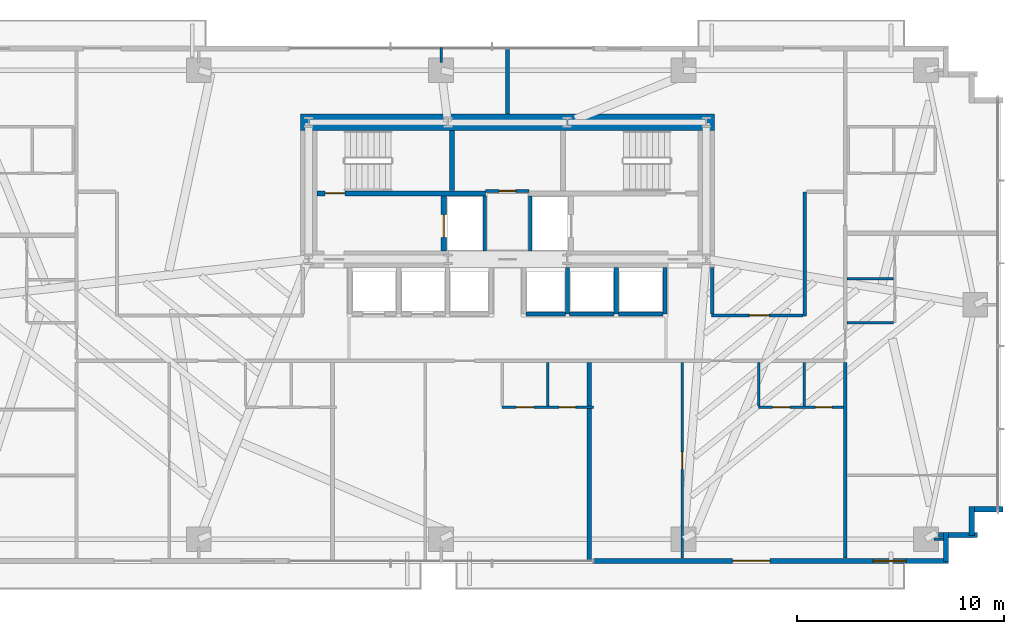
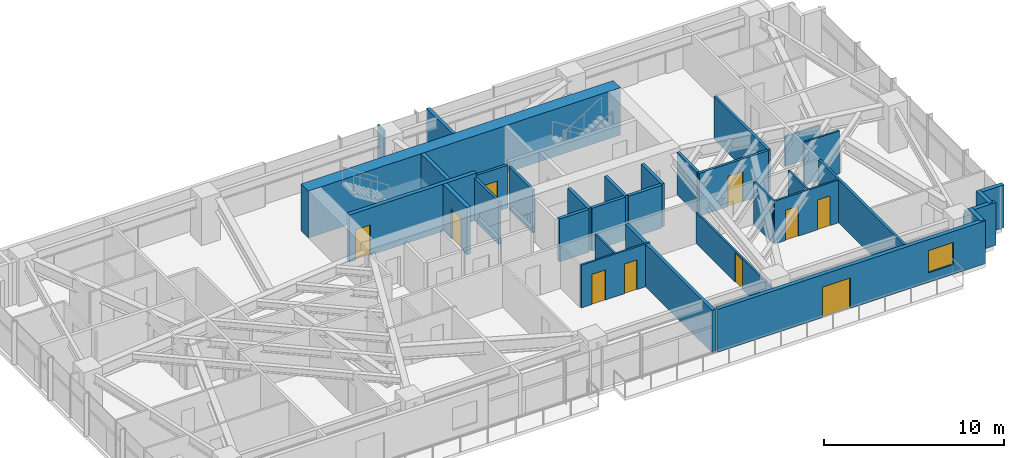
# One storey, part 21 of 25: 35 walls, 10 doors, 1 window, 11 openings.
"""IFC4 building model written with IfcOpenShell, lengths in metres."""

from ifc_helpers import new_model, si_unit, direction, frame, frame_2d, origin, place, context, subcontext, project, spatial, rectangle, extrude, source, transform, mapped, material, layer, layer_set, type_object, type_shapes, element, fill, save


model = new_model("IFC4")

# Units and contexts
model_context = context("Model", 3, precision=1e-05, world=origin(), true_north=direction((0.0, 1.0)))
body_context = subcontext(model_context, "Body", "Model", "MODEL_VIEW")
ifc_project = project(units=[si_unit("LENGTHUNIT", "METRE"), si_unit("AREAUNIT", "SQUARE_METRE"), si_unit("VOLUMEUNIT", "CUBIC_METRE"), si_unit("PLANEANGLEUNIT", "RADIAN"), si_unit("MASSUNIT", "GRAM", prefix="KILO")], contexts=[model_context])

# Site, building, storey
site_placement = place(None, origin())
site = spatial("IfcSite", under=ifc_project, at=site_placement, CompositionType="ELEMENT")
building_placement = place(site_placement, origin())
building = spatial("IfcBuilding", under=site, at=building_placement, Name="Astriad Promenade Condominiums", CompositionType="ELEMENT")
storey_placement = place(building_placement, frame((0.0, 0.0, 64.60009765625)))
storey = spatial("IfcBuildingStorey", under=building, at=storey_placement, Name="L18", CompositionType="ELEMENT", Elevation=64.60009765625)

# Wall
ifc_material_1 = material(Name="Concrete C80/95", Category="concrete")
ifc_layer_1 = layer(ifc_material_1, 0.800048828125)
ifc_layer_set_1 = layer_set([ifc_layer_1], Name="Concrete C80/95")
wall_type_1 = type_object("IfcWallType", Name="CW-SHEAR-800", PredefinedType="SHEAR", material=ifc_layer_set_1)
wall_1_placement = place(storey_placement, frame((26.0, 24.0, 0.0), z_axis=(0.0, 0.0, 1.0), x_axis=(1.0, 0.0, 0.0)))
element("IfcWall", 1, at=wall_1_placement, inside=storey, type_object=wall_type_1, Name="CW-CORE-N-L18", PredefinedType="SHEAR", context=body_context, shape_type="SweptSolid", body=[
    extrude(rectangle(XDim=20.0, YDim=0.800048828125, at=frame_2d((10.0, 0.0))), origin(), (0.0, 0.0, 1.0), 3.199951171875),
])

# Wall, opening, door
ifc_material_2 = material(Name="Concrete C50/60", Category="concrete")
ifc_layer_2 = layer(ifc_material_2, 0.25)
ifc_layer_set_2 = layer_set([ifc_layer_2], Name="Concrete C50/60")
wall_type_2 = type_object("IfcWallType", Name="WALL-CORE-INT-250", PredefinedType="SOLIDWALL", material=ifc_layer_set_2)
wall_2_placement = place(storey_placement, frame((26.802001953125, 20.574951171875, 0.0), z_axis=(0.0, 0.0, 1.0), x_axis=(1.0, 0.0, 0.0)))
wall_2 = element("IfcWall", 2, at=wall_2_placement, inside=storey, type_object=wall_type_2, Name="CW-INT-H1-L18", PredefinedType="SOLIDWALL", context=body_context, shape_type="SweptSolid", body=[
    extrude(rectangle(XDim=8.14794921875, YDim=0.25, at=frame_2d((4.073974609375, 0.0))), origin(), (0.0, 0.0, 1.0), 3.199951171875),
])
opening_1_placement = place(wall_2_placement, frame((0.39794921875, 0.0, 0.0)))
opening_1 = element("IfcOpeningElement", 3, at=opening_1_placement, cuts=wall_2, Name="Opening FD90-ST-095", PredefinedType="OPENING", context=body_context, shape_type="SweptSolid", body=[
    extrude(rectangle(XDim=0.949951171875, YDim=2.06005859375, at=frame_2d((0.47509765625, 1.030029296875))), frame((0.0, 0.135009765625, 0.0), z_axis=(0.0, -1.0, 0.0), x_axis=(1.0, 0.0, 0.0)), (0.0, 0.0, 1.0), 0.27001953125),
])
ifc_material_3 = material(Name="Fire-Rated Hollow Metal Stair Door")
door_type_1 = type_object("IfcDoorType", Name="FD90-ST-095", OperationType="NOTDEFINED", PredefinedType="DOOR", material=ifc_material_3)
shared_shape_1 = source(origin(), body_context, "Body", "SweptSolid", [
    extrude(rectangle(XDim=0.949951171875, YDim=2.06005859375, at=frame_2d((0.47509765625, 1.030029296875))), frame((0.0, 0.02490234375, 0.0), z_axis=(0.0, -1.0, 0.0), x_axis=(1.0, 0.0, 0.0)), (0.0, 0.0, 1.0), 0.050048828125),
])
type_shapes(door_type_1, [shared_shape_1])
door_1_placement = place(opening_1_placement, origin())
door_1 = element("IfcDoor", 4, at=door_1_placement, inside=storey, type_object=door_type_1, Name="D-ST1-L18", OperationType="SINGLE_SWING_RIGHT", OverallHeight=2.06005859375, OverallWidth=0.949951171875, PredefinedType="DOOR", context=body_context, shape_type="MappedRepresentation", body=[
    mapped(shared_shape_1, transform((0.0, 0.0, 0.0), scale=1.0)),
])
fill(opening_1, door_1)

# Wall
wall_3_placement = place(storey_placement, frame((33.324951171875, 20.701904296875, 0.0), z_axis=(0.0, 0.0, 1.0), x_axis=(0.0, 1.0, 0.0)))
element("IfcWall", 5, at=wall_3_placement, inside=storey, type_object=wall_type_2, Name="CW-ST1-E-L18", PredefinedType="SOLIDWALL", context=body_context, shape_type="SweptSolid", body=[
    extrude(rectangle(XDim=2.89599609375, YDim=0.25, at=frame_2d((1.447998046875, 0.0))), origin(), (0.0, 0.0, 1.0), 3.199951171875),
])

# Wall, opening, door
wall_4_placement = place(storey_placement, frame((32.925048828125, 17.802001953125, 0.0), z_axis=(0.0, 0.0, 1.0), x_axis=(0.0, 1.0, 0.0)))
wall_4 = element("IfcWall", 6, at=wall_4_placement, inside=storey, type_object=wall_type_2, Name="CW-FFL1-W-L18", PredefinedType="SOLIDWALL", context=body_context, shape_type="SweptSolid", body=[
    extrude(rectangle(XDim=2.64599609375, YDim=0.25, at=frame_2d((1.322998046875, 0.0))), origin(), (0.0, 0.0, 1.0), 3.199951171875),
])
opening_2_placement = place(wall_4_placement, frame((0.64794921875, 0.0, 0.0)))
opening_2 = element("IfcOpeningElement", 7, at=opening_2_placement, cuts=wall_4, Name="Opening LD-FFL-1122", PredefinedType="OPENING", context=body_context, shape_type="SweptSolid", body=[
    extrude(rectangle(XDim=1.10009765625, YDim=2.080078125, at=frame_2d((0.550048828125, 1.0400390625))), frame((0.0, 0.135009765625, 0.0), z_axis=(0.0, -1.0, 0.0), x_axis=(1.0, 0.0, 0.0)), (0.0, 0.0, 1.0), 0.27001953125),
])
ifc_material_4 = material(Name="Brushed Stainless Steel Fire Elevator Landing Door", Category="steel")
door_type_2 = type_object("IfcDoorType", Name="LD-FFL-1122", OperationType="NOTDEFINED", PredefinedType="DOOR", material=ifc_material_4)
shared_shape_2 = source(origin(), body_context, "Body", "SweptSolid", [
    extrude(rectangle(XDim=1.10009765625, YDim=2.080078125, at=frame_2d((0.550048828125, 1.0400390625))), frame((0.0, 0.02490234375, 0.0), z_axis=(0.0, -1.0, 0.0), x_axis=(1.0, 0.0, 0.0)), (0.0, 0.0, 1.0), 0.050048828125),
])
type_shapes(door_type_2, [shared_shape_2])
door_2_placement = place(opening_2_placement, origin())
door_2 = element("IfcDoor", 8, at=door_2_placement, inside=storey, type_object=door_type_2, Name="Elevator Landing Door FFL-1 (L18)", OperationType="SLIDING_TO_LEFT", OverallHeight=2.080078125, OverallWidth=1.10009765625, PredefinedType="DOOR", context=body_context, shape_type="MappedRepresentation", body=[
    mapped(shared_shape_2, transform((0.0, 0.0, 0.0), scale=1.0)),
])
fill(opening_2, door_2)

# Walls
ifc_material_5 = material(Name="Fire-Rated Gypsum Partition")
ifc_layer_3 = layer(ifc_material_5, 0.159912109375)
ifc_layer_set_3 = layer_set([ifc_layer_3], Name="Fire-Rated Gypsum Partition")
wall_type_3 = type_object("IfcWallType", Name="WALL-CORR-160", PredefinedType="PARTITIONING", material=ifc_layer_set_3)
for number, where, z_axis, x_axis, name in (
    (9, (34.89990234375, 17.802001953125, 0.0), (0.0, 0.0, 1.0), (0.0, 1.0, 0.0), "CW-FFL1-E-L18"),
    (10, (37.10009765625, 17.802001953125, 0.0), (0.0, 0.0, 1.0), (0.0, 1.0, 0.0), "CW-FFL2-W-L18"),
):
    element("IfcWall", number, at=place(storey_placement, frame(where, z_axis=z_axis, x_axis=x_axis)), inside=storey, type_object=wall_type_3, Name=name, PredefinedType="PARTITIONING", context=body_context, shape_type="SweptSolid", body=[
        extrude(rectangle(XDim=2.64599609375, YDim=0.159912109375, at=frame_2d((1.322998046875, 0.0))), origin(), (0.0, 0.0, 1.0), 2.89990234375),
    ])

# Wall, opening, door
wall_5_placement = place(storey_placement, frame((34.949951171875, 20.68994140625, 0.0), z_axis=(0.0, 0.0, 1.0), x_axis=(1.0, 0.0, 0.0)))
wall_5 = element("IfcWall", 11, at=wall_5_placement, inside=storey, type_object=wall_type_3, Name="CW-AUX-S-L18", PredefinedType="PARTITIONING", context=body_context, shape_type="SweptSolid", body=[
    extrude(rectangle(XDim=2.10009765625, YDim=0.159912109375, at=frame_2d((1.050048828125, 0.0))), origin(), (0.0, 0.0, 1.0), 2.89990234375),
])
opening_3_placement = place(wall_5_placement, frame((0.64990234375, 0.0, 0.0)))
opening_3 = element("IfcOpeningElement", 12, at=opening_3_placement, cuts=wall_5, Name="Opening FD60-SV-080", PredefinedType="OPENING", context=body_context, shape_type="SweptSolid", body=[
    extrude(rectangle(XDim=0.800048828125, YDim=2.050048828125, at=frame_2d((0.39990234375, 1.02490234375))), frame((0.0, 0.08984375, 0.0), z_axis=(0.0, -1.0, 0.0), x_axis=(1.0, 0.0, 0.0)), (0.0, 0.0, 1.0), 0.179931640625),
])
ifc_material_6 = material(Name="Fire-Rated Riser Closet Door")
door_type_3 = type_object("IfcDoorType", Name="FD60-SV-080", OperationType="NOTDEFINED", PredefinedType="DOOR", material=ifc_material_6)
shared_shape_3 = source(origin(), body_context, "Body", "SweptSolid", [
    extrude(rectangle(XDim=0.800048828125, YDim=2.050048828125, at=frame_2d((0.39990234375, 1.02490234375))), frame((0.0, 0.02490234375, 0.0), z_axis=(0.0, -1.0, 0.0), x_axis=(1.0, 0.0, 0.0)), (0.0, 0.0, 1.0), 0.050048828125),
])
type_shapes(door_type_3, [shared_shape_3])
door_3_placement = place(opening_3_placement, origin())
door_3 = element("IfcDoor", 13, at=door_3_placement, inside=storey, type_object=door_type_3, Name="D-AUX1-L18", OperationType="SINGLE_SWING_RIGHT", OverallHeight=2.050048828125, OverallWidth=0.800048828125, PredefinedType="DOOR", context=body_context, shape_type="MappedRepresentation", body=[
    mapped(shared_shape_3, transform((0.0, 0.0, 0.0), scale=1.0)),
])
fill(opening_3, door_3)

# Walls
wall_6_placement = place(storey_placement, frame((52.300048828125, 2.9619140625, 0.0), z_axis=(0.0, 0.0, 1.0), x_axis=(0.0, 1.0, 0.0)))
element("IfcWall", 14, at=wall_6_placement, inside=storey, type_object=wall_type_3, Name="PT-COR-E-L18", PredefinedType="PARTITIONING", context=body_context, shape_type="SweptSolid", body=[
    extrude(rectangle(XDim=9.446044921875, YDim=0.159912109375, at=frame_2d((4.72314453125, 0.0))), origin(), (0.0, 0.0, 1.0), 2.89990234375),
])
wall_7_placement = place(storey_placement, frame((50.35009765625, 14.659912109375, 0.0), z_axis=(0.0, 0.0, 1.0), x_axis=(0.0, 1.0, 0.0)))
element("IfcWall", 15, at=wall_7_placement, inside=storey, type_object=wall_type_3, Name="PT-EALC-W-L18", PredefinedType="PARTITIONING", context=body_context, shape_type="SweptSolid", body=[
    extrude(rectangle(XDim=5.989990234375, YDim=0.159912109375, at=frame_2d((2.9951171875, 0.0))), origin(), (0.0, 0.0, 1.0), 2.89990234375),
])

# Wall, opening, door
wall_8_placement = place(storey_placement, frame((45.840087890625, 14.679931640625, 0.0), z_axis=(0.0, 0.0, 1.0), x_axis=(1.0, 0.0, 0.0)))
wall_8 = element("IfcWall", 16, at=wall_8_placement, inside=storey, type_object=wall_type_3, Name="PT-FLK-NE-L18", PredefinedType="PARTITIONING", context=body_context, shape_type="SweptSolid", body=[
    extrude(rectangle(XDim=4.427978515625, YDim=0.159912109375, at=frame_2d((2.2138671875, 0.0))), origin(), (0.0, 0.0, 1.0), 2.89990234375),
])
opening_4_placement = place(wall_8_placement, frame((1.840087890625, 0.0, 0.0)))
opening_4 = element("IfcOpeningElement", 17, at=opening_4_placement, cuts=wall_8, Name="Opening FD60-APT-095", PredefinedType="OPENING", context=body_context, shape_type="SweptSolid", body=[
    extrude(rectangle(XDim=0.949951171875, YDim=2.06005859375, at=frame_2d((0.47509765625, 1.030029296875))), frame((0.0, 0.08984375, 0.0), z_axis=(0.0, -1.0, 0.0), x_axis=(1.0, 0.0, 0.0)), (0.0, 0.0, 1.0), 0.179931640625),
])
ifc_material_7 = material(Name="Solid-Core Acoustic Timber Residence Entry Door", Category="wood")
door_type_4 = type_object("IfcDoorType", Name="FD60-APT-095", OperationType="NOTDEFINED", PredefinedType="DOOR", material=ifc_material_7)
shared_shape_4 = source(origin(), body_context, "Body", "SweptSolid", [
    extrude(rectangle(XDim=0.949951171875, YDim=2.06005859375, at=frame_2d((0.47509765625, 1.030029296875))), frame((0.0, 0.02490234375, 0.0), z_axis=(0.0, -1.0, 0.0), x_axis=(1.0, 0.0, 0.0)), (0.0, 0.0, 1.0), 0.050048828125),
])
type_shapes(door_type_4, [shared_shape_4])
door_4_placement = place(opening_4_placement, origin())
door_4 = element("IfcDoor", 18, at=door_4_placement, inside=storey, type_object=door_type_4, Name="D-NEA-L18", OperationType="SINGLE_SWING_RIGHT", OverallHeight=2.06005859375, OverallWidth=0.949951171875, PredefinedType="DOOR", context=body_context, shape_type="MappedRepresentation", body=[
    mapped(shared_shape_4, transform((0.0, 0.0, 0.0), scale=1.0)),
])
fill(opening_4, door_4)

# Walls
wall_9_placement = place(storey_placement, frame((45.8798828125, 14.761962890625, 0.0), z_axis=(0.0, 0.0, 1.0), x_axis=(0.0, 1.0, 0.0)))
element("IfcWall", 19, at=wall_9_placement, inside=storey, type_object=wall_type_3, Name="PT-ESPUR-E-L18", PredefinedType="PARTITIONING", context=body_context, shape_type="SweptSolid", body=[
    extrude(rectangle(XDim=2.236083984375, YDim=0.159912109375, at=frame_2d((1.1181640625, 0.0))), origin(), (0.0, 0.0, 1.0), 2.89990234375),
])
ifc_material_8 = material(Name="Acoustic Double-Stud Gypsum Partition")
ifc_layer_4 = layer(ifc_material_8, 0.199951171875)
ifc_layer_set_4 = layer_set([ifc_layer_4], Name="Acoustic Double-Stud Gypsum Partition")
wall_type_4 = type_object("IfcWallType", Name="WALL-DEMISING-200", PredefinedType="PARTITIONING", material=ifc_layer_set_4)
wall_10_placement = place(storey_placement, frame((36.0, 24.402099609375, 0.0), z_axis=(0.0, 0.0, 1.0), x_axis=(0.0, 1.0, 0.0)))
element("IfcWall", 20, at=wall_10_placement, inside=storey, type_object=wall_type_4, Name="PT-NC-MID-L18", PredefinedType="PARTITIONING", context=body_context, shape_type="SweptSolid", body=[
    extrude(rectangle(XDim=3.218017578125, YDim=0.199951171875, at=frame_2d((1.60888671875, 0.0))), origin(), (0.0, 0.0, 1.0), 2.89990234375),
])
wall_11_placement = place(storey_placement, frame((39.946044921875, 2.780029296875, 0.0), z_axis=(0.0, 0.0, 1.0), x_axis=(0.0, 1.0, 0.0)))
element("IfcWall", 21, at=wall_11_placement, inside=storey, type_object=wall_type_4, Name="PT-DEM-S2-L18", PredefinedType="PARTITIONING", context=body_context, shape_type="SweptSolid", body=[
    extrude(rectangle(XDim=7.39794921875, YDim=0.199951171875, at=frame_2d((3.698974609375, 0.0))), origin(), (0.0, 0.0, 1.0), 2.89990234375),
])
wall_12_placement = place(storey_placement, frame((39.946044921875, 10.302001953125, 0.0), z_axis=(0.0, 0.0, 1.0), x_axis=(0.0, 1.0, 0.0)))
element("IfcWall", 22, at=wall_12_placement, inside=storey, type_object=wall_type_4, Name="PT-DEM-S2-L18-S2", PredefinedType="PARTITIONING", context=body_context, shape_type="SweptSolid", body=[
    extrude(rectangle(XDim=2.10595703125, YDim=0.199951171875, at=frame_2d((1.052978515625, 0.0))), origin(), (0.0, 0.0, 1.0), 2.89990234375),
])
ifc_material_9 = material(Name="Precast concrete C50/60", Category="concrete")
ifc_layer_5 = layer(ifc_material_9, 0.260009765625)
ifc_layer_set_5 = layer_set([ifc_layer_5], Name="Precast concrete C50/60")
wall_type_5 = type_object("IfcWallType", Name="WALL-EXT-TWR-260", PredefinedType="STANDARD", material=ifc_layer_set_5)
for number, where, z_axis, x_axis, name in (
    (23, (59.929931640625, 5.330078125, 0.0), (0.0, 0.0, 1.0), (-1.0, 0.0, 0.0), "W-SER-L18-14"),
    (24, (58.419921875, 5.4599609375, 0.0), (0.0, 0.0, 1.0), (0.0, -1.0, 0.0), "W-SER-L18-15"),
):
    element("IfcWall", number, at=place(storey_placement, frame(where, z_axis=z_axis, x_axis=x_axis)), inside=storey, type_object=wall_type_5, Name=name, PredefinedType="STANDARD", context=body_context, shape_type="SweptSolid", body=[
        extrude(rectangle(XDim=1.39501953125, YDim=0.260009765625, at=frame_2d((0.697509765625, 0.0))), origin(), (0.0, 0.0, 1.0), 2.89990234375),
    ])
wall_13_placement = place(storey_placement, frame((58.679931640625, 4.080078125, 0.0), z_axis=(0.0, 0.0, 1.0), x_axis=(-1.0, 0.0, 0.0)))
element("IfcWall", 25, at=wall_13_placement, inside=storey, type_object=wall_type_5, Name="W-SER-L18-16", PredefinedType="STANDARD", context=body_context, shape_type="SweptSolid", body=[
    extrude(rectangle(XDim=1.8779296875, YDim=0.260009765625, at=frame_2d((0.93896484375, 0.0))), origin(), (0.0, 0.0, 1.0), 2.89990234375),
])
wall_14_placement = place(storey_placement, frame((57.169921875, 4.2099609375, 0.0), z_axis=(0.0, 0.0, 1.0), x_axis=(0.0, -1.0, 0.0)))
element("IfcWall", 26, at=wall_14_placement, inside=storey, type_object=wall_type_5, Name="W-SER-L18-17", PredefinedType="STANDARD", context=body_context, shape_type="SweptSolid", body=[
    extrude(rectangle(XDim=1.39501953125, YDim=0.260009765625, at=frame_2d((0.697509765625, 0.0))), origin(), (0.0, 0.0, 1.0), 2.89990234375),
])

# Wall, openings, door, window
wall_15_placement = place(storey_placement, frame((57.300048828125, 2.830078125, 0.0), z_axis=(0.0, 0.0, 1.0), x_axis=(-1.0, 0.0, 0.0)))
wall_15 = element("IfcWall", 27, at=wall_15_placement, inside=storey, type_object=wall_type_5, Name="W-EXT-L18-S1", PredefinedType="STANDARD", context=body_context, shape_type="SweptSolid", body=[
    extrude(rectangle(XDim=17.150146484375, YDim=0.260009765625, at=frame_2d((8.5751953125, 0.0))), origin(), (0.0, 0.0, 1.0), 2.89990234375),
])
opening_5_placement = place(wall_15_placement, frame((8.635986328125, 0.0, 0.0)))
opening_5 = element("IfcOpeningElement", 28, at=opening_5_placement, cuts=wall_15, Name="Opening BD-1822-SLD", PredefinedType="OPENING", context=body_context, shape_type="SweptSolid", body=[
    extrude(rectangle(XDim=1.800048828125, YDim=2.06005859375, at=frame_2d((0.89990234375, 1.030029296875))), frame((0.0, 0.139892578125, 0.0), z_axis=(0.0, -1.0, 0.0), x_axis=(1.0, 0.0, 0.0)), (0.0, 0.0, 1.0), 0.280029296875),
])
opening_6_placement = place(wall_15_placement, frame((2.050048828125, 0.0, 0.64990234375)))
opening_6 = element("IfcOpeningElement", 29, at=opening_6_placement, cuts=wall_15, Name="Opening WIN-TWR-1620", PredefinedType="OPENING", context=body_context, shape_type="SweptSolid", body=[
    extrude(rectangle(XDim=1.60009765625, YDim=1.5, at=frame_2d((0.800048828125, 0.75))), frame((0.0, 0.139892578125, 0.0), z_axis=(0.0, -1.0, 0.0), x_axis=(1.0, 0.0, 0.0)), (0.0, 0.0, 1.0), 0.280029296875),
])
ifc_material_10 = material(Name="Thermally Broken Aluminium Sliding Balcony Door", Category="aluminium")
door_type_5 = type_object("IfcDoorType", Name="BD-1822-SLD", OperationType="NOTDEFINED", PredefinedType="DOOR", material=ifc_material_10)
shared_shape_5 = source(origin(), body_context, "Body", "SweptSolid", [
    extrude(rectangle(XDim=1.800048828125, YDim=2.06005859375, at=frame_2d((0.89990234375, 1.030029296875))), frame((0.0, 0.02490234375, 0.0), z_axis=(0.0, -1.0, 0.0), x_axis=(1.0, 0.0, 0.0)), (0.0, 0.0, 1.0), 0.050048828125),
])
type_shapes(door_type_5, [shared_shape_5])
door_5_placement = place(opening_5_placement, origin())
door_5 = element("IfcDoor", 30, at=door_5_placement, inside=storey, type_object=door_type_5, Name="BD-L18-SE", OperationType="SLIDING_TO_RIGHT", OverallHeight=2.06005859375, OverallWidth=1.800048828125, PredefinedType="DOOR", context=body_context, shape_type="MappedRepresentation", body=[
    mapped(shared_shape_5, transform((0.0, 0.0, 0.0), scale=1.0)),
])
fill(opening_5, door_5)
ifc_material_11 = material(Name="Dark Tinted Triple-Glazed Aluminium Window", Category="aluminium")
window_type = type_object("IfcWindowType", Name="WIN-TWR-1620", PartitioningType="SINGLE_PANEL", PredefinedType="WINDOW", material=ifc_material_11)
shared_shape_6 = source(origin(), body_context, "Body", "SweptSolid", [
    extrude(rectangle(XDim=1.60009765625, YDim=1.5, at=frame_2d((0.800048828125, 0.75))), frame((0.0, 0.030029296875, 0.0), z_axis=(0.0, -1.0, 0.0), x_axis=(1.0, 0.0, 0.0)), (0.0, 0.0, 1.0), 0.06005859375),
])
type_shapes(window_type, [shared_shape_6])
window_placement = place(opening_6_placement, origin())
window = element("IfcWindow", 31, at=window_placement, inside=storey, type_object=window_type, Name="WIN-L18-SE", OverallHeight=1.5, OverallWidth=1.60009765625, PartitioningType="SINGLE_PANEL", PredefinedType="WINDOW", context=body_context, shape_type="MappedRepresentation", body=[
    mapped(shared_shape_6, transform((0.0, 0.0, 0.0), scale=1.0)),
])
fill(opening_6, window)

# Wall, openings, doors
ifc_material_12 = material(Name="Acoustic Metal-Stud Gypsum Partition")
ifc_layer_6 = layer(ifc_material_12, 0.1201171875)
ifc_layer_set_6 = layer_set([ifc_layer_6], Name="Acoustic Metal-Stud Gypsum Partition")
wall_type_6 = type_object("IfcWallType", Name="WALL-PART-120", PredefinedType="PARTITIONING", material=ifc_layer_set_6)
wall_16_placement = place(storey_placement, frame((35.74609375, 10.239990234375, 0.0), z_axis=(0.0, 0.0, 1.0), x_axis=(1.0, 0.0, 0.0)))
wall_16 = element("IfcWall", 32, at=wall_16_placement, inside=storey, type_object=wall_type_6, Name="PT-L18-S2-PS", PredefinedType="PARTITIONING", context=body_context, shape_type="SweptSolid", body=[
    extrude(rectangle(XDim=4.39990234375, YDim=0.1201171875, at=frame_2d((2.199951171875, 0.0))), origin(), (0.0, 0.0, 1.0), 2.89990234375),
])
opening_7_placement = place(wall_16_placement, frame((0.675048828125, 0.0, 0.0)))
opening_7 = element("IfcOpeningElement", 33, at=opening_7_placement, cuts=wall_16, Name="Opening D-INT-085", PredefinedType="OPENING", context=body_context, shape_type="SweptSolid", body=[
    extrude(rectangle(XDim=0.85009765625, YDim=2.050048828125, at=frame_2d((0.425048828125, 1.02490234375))), frame((0.0, 0.070068359375, 0.0), z_axis=(0.0, -1.0, 0.0), x_axis=(1.0, 0.0, 0.0)), (0.0, 0.0, 1.0), 0.14013671875),
])
opening_8_placement = place(wall_16_placement, frame((2.75, 0.0, 0.0)))
opening_8 = element("IfcOpeningElement", 34, at=opening_8_placement, cuts=wall_16, Name="Opening D-WET-080", PredefinedType="OPENING", context=body_context, shape_type="SweptSolid", body=[
    extrude(rectangle(XDim=0.800048828125, YDim=2.02001953125, at=frame_2d((0.39990234375, 1.010009765625))), frame((0.0, 0.070068359375, 0.0), z_axis=(0.0, -1.0, 0.0), x_axis=(1.0, 0.0, 0.0)), (0.0, 0.0, 1.0), 0.14013671875),
])
ifc_material_13 = material(Name="Moisture-Resistant Timber Bathroom Door", Category="wood")
door_type_6 = type_object("IfcDoorType", Name="D-WET-080", OperationType="NOTDEFINED", PredefinedType="DOOR", material=ifc_material_13)
shared_shape_7 = source(origin(), body_context, "Body", "SweptSolid", [
    extrude(rectangle(XDim=0.800048828125, YDim=2.02001953125, at=frame_2d((0.39990234375, 1.010009765625))), frame((0.0, 0.02490234375, 0.0), z_axis=(0.0, -1.0, 0.0), x_axis=(1.0, 0.0, 0.0)), (0.0, 0.0, 1.0), 0.050048828125),
])
type_shapes(door_type_6, [shared_shape_7])
door_6_placement = place(opening_8_placement, origin())
door_6 = element("IfcDoor", 35, at=door_6_placement, inside=storey, type_object=door_type_6, Name="D-BTH-L18-S2", OperationType="SINGLE_SWING_RIGHT", OverallHeight=2.02001953125, OverallWidth=0.800048828125, PredefinedType="DOOR", context=body_context, shape_type="MappedRepresentation", body=[
    mapped(shared_shape_7, transform((0.0, 0.0, 0.0), scale=1.0)),
])
fill(opening_8, door_6)
ifc_material_14 = material(Name="Painted Solid-Core Timber Room Door", Category="wood")
door_type_7 = type_object("IfcDoorType", Name="D-INT-085", OperationType="NOTDEFINED", PredefinedType="DOOR", material=ifc_material_14)
shared_shape_8 = source(origin(), body_context, "Body", "SweptSolid", [
    extrude(rectangle(XDim=0.85009765625, YDim=2.050048828125, at=frame_2d((0.425048828125, 1.02490234375))), frame((0.0, 0.02490234375, 0.0), z_axis=(0.0, -1.0, 0.0), x_axis=(1.0, 0.0, 0.0)), (0.0, 0.0, 1.0), 0.050048828125),
])
type_shapes(door_type_7, [shared_shape_8])
door_7_placement = place(opening_7_placement, origin())
door_7 = element("IfcDoor", 36, at=door_7_placement, inside=storey, type_object=door_type_7, Name="D-KIT-L18-S2", OperationType="SINGLE_SWING_LEFT", OverallHeight=2.050048828125, OverallWidth=0.85009765625, PredefinedType="DOOR", context=body_context, shape_type="MappedRepresentation", body=[
    mapped(shared_shape_8, transform((0.0, 0.0, 0.0), scale=1.0)),
])
fill(opening_7, door_7)

# Wall
wall_17_placement = place(storey_placement, frame((37.946044921875, 10.302001953125, 0.0), z_axis=(0.0, 0.0, 1.0), x_axis=(0.0, 1.0, 0.0)))
element("IfcWall", 37, at=wall_17_placement, inside=storey, type_object=wall_type_6, Name="PT-L18-S2-PB", PredefinedType="PARTITIONING", context=body_context, shape_type="SweptSolid", body=[
    extrude(rectangle(XDim=2.10595703125, YDim=0.1201171875, at=frame_2d((1.052978515625, 0.0))), origin(), (0.0, 0.0, 1.0), 2.89990234375),
])

# Wall, openings, doors
wall_18_placement = place(storey_placement, frame((48.1201171875, 10.239990234375, 0.0), z_axis=(0.0, 0.0, 1.0), x_axis=(1.0, 0.0, 0.0)))
wall_18 = element("IfcWall", 38, at=wall_18_placement, inside=storey, type_object=wall_type_6, Name="PT-L18-S3-PS", PredefinedType="PARTITIONING", context=body_context, shape_type="SweptSolid", body=[
    extrude(rectangle(XDim=4.097900390625, YDim=0.1201171875, at=frame_2d((2.048828125, 0.0))), origin(), (0.0, 0.0, 1.0), 2.89990234375),
])
opening_9_placement = place(wall_18_placement, frame((0.675048828125, 0.0, 0.0)))
opening_9 = element("IfcOpeningElement", 39, at=opening_9_placement, cuts=wall_18, Name="Opening D-INT-085", PredefinedType="OPENING", context=body_context, shape_type="SweptSolid", body=[
    extrude(rectangle(XDim=0.85009765625, YDim=2.050048828125, at=frame_2d((0.425048828125, 1.02490234375))), frame((0.0, 0.070068359375, 0.0), z_axis=(0.0, -1.0, 0.0), x_axis=(1.0, 0.0, 0.0)), (0.0, 0.0, 1.0), 0.14013671875),
])
opening_10_placement = place(wall_18_placement, frame((2.75, 0.0, 0.0)))
opening_10 = element("IfcOpeningElement", 40, at=opening_10_placement, cuts=wall_18, Name="Opening D-WET-080", PredefinedType="OPENING", context=body_context, shape_type="SweptSolid", body=[
    extrude(rectangle(XDim=0.800048828125, YDim=2.02001953125, at=frame_2d((0.39990234375, 1.010009765625))), frame((0.0, 0.070068359375, 0.0), z_axis=(0.0, -1.0, 0.0), x_axis=(1.0, 0.0, 0.0)), (0.0, 0.0, 1.0), 0.14013671875),
])
door_8_placement = place(opening_10_placement, origin())
door_8 = element("IfcDoor", 41, at=door_8_placement, inside=storey, type_object=door_type_6, Name="D-BTH-L18-S3", OperationType="SINGLE_SWING_RIGHT", OverallHeight=2.02001953125, OverallWidth=0.800048828125, PredefinedType="DOOR", context=body_context, shape_type="MappedRepresentation", body=[
    mapped(shared_shape_7, transform((0.0, 0.0, 0.0), scale=1.0)),
])
fill(opening_10, door_8)
door_9_placement = place(opening_9_placement, origin())
door_9 = element("IfcDoor", 42, at=door_9_placement, inside=storey, type_object=door_type_7, Name="D-KIT-L18-S3", OperationType="SINGLE_SWING_LEFT", OverallHeight=2.050048828125, OverallWidth=0.85009765625, PredefinedType="DOOR", context=body_context, shape_type="MappedRepresentation", body=[
    mapped(shared_shape_8, transform((0.0, 0.0, 0.0), scale=1.0)),
])
fill(opening_9, door_9)

# Walls
for number, where, z_axis, x_axis, name in (
    (43, (48.1201171875, 10.302001953125, 0.0), (0.0, 0.0, 1.0), (0.0, 1.0, 0.0), "PT-L18-S3-PK"),
    (44, (50.320068359375, 10.302001953125, 0.0), (0.0, 0.0, 1.0), (0.0, 1.0, 0.0), "PT-L18-S3-PB"),
):
    element("IfcWall", number, at=place(storey_placement, frame(where, z_axis=z_axis, x_axis=x_axis)), inside=storey, type_object=wall_type_6, Name=name, PredefinedType="PARTITIONING", context=body_context, shape_type="SweptSolid", body=[
        extrude(rectangle(XDim=2.10595703125, YDim=0.1201171875, at=frame_2d((1.052978515625, 0.0))), origin(), (0.0, 0.0, 1.0), 2.89990234375),
    ])

# Wall, opening, door
wall_19_placement = place(storey_placement, frame((44.428955078125, 2.9619140625, 0.0), z_axis=(0.0, 0.0, 1.0), x_axis=(0.0, 1.0, 0.0)))
wall_19 = element("IfcWall", 45, at=wall_19_placement, inside=storey, type_object=wall_type_6, Name="PT-L18-S3-CAP1", PredefinedType="PARTITIONING", context=body_context, shape_type="SweptSolid", body=[
    extrude(rectangle(XDim=9.446044921875, YDim=0.1201171875, at=frame_2d((4.72314453125, 0.0))), origin(), (0.0, 0.0, 1.0), 2.095947265625),
])
opening_11_placement = place(wall_19_placement, frame((4.2880859375, 0.0, 0.0)))
opening_11 = element("IfcOpeningElement", 46, at=opening_11_placement, cuts=wall_19, Name="Opening D-LOW-085", PredefinedType="OPENING", context=body_context, shape_type="SweptSolid", body=[
    extrude(rectangle(XDim=0.85009765625, YDim=2.010009765625, at=frame_2d((0.425048828125, 1.0048828125))), frame((0.0, 0.070068359375, 0.0), z_axis=(0.0, -1.0, 0.0), x_axis=(1.0, 0.0, 0.0)), (0.0, 0.0, 1.0), 0.14013671875),
])
ifc_material_15 = material(Name="Painted Timber Under-Girder Room Door", Category="wood")
door_type_8 = type_object("IfcDoorType", Name="D-LOW-085", OperationType="NOTDEFINED", PredefinedType="DOOR", material=ifc_material_15)
shared_shape_9 = source(origin(), body_context, "Body", "SweptSolid", [
    extrude(rectangle(XDim=0.85009765625, YDim=2.010009765625, at=frame_2d((0.425048828125, 1.0048828125))), frame((0.0, 0.02490234375, 0.0), z_axis=(0.0, -1.0, 0.0), x_axis=(1.0, 0.0, 0.0)), (0.0, 0.0, 1.0), 0.050048828125),
])
type_shapes(door_type_8, [shared_shape_9])
door_10_placement = place(opening_11_placement, origin())
door_10 = element("IfcDoor", 47, at=door_10_placement, inside=storey, type_object=door_type_8, Name="D-CAP1-L18-S3", OperationType="SINGLE_SWING_LEFT", OverallHeight=2.010009765625, OverallWidth=0.85009765625, PredefinedType="DOOR", context=body_context, shape_type="MappedRepresentation", body=[
    mapped(shared_shape_9, transform((0.0, 0.0, 0.0), scale=1.0)),
])
fill(opening_11, door_10)

# Walls
wall_20_placement = place(storey_placement, frame((52.382080078125, 16.445068359375, 0.0), z_axis=(0.0, 0.0, 1.0), x_axis=(1.0, 0.0, 0.0)))
element("IfcWall", 48, at=wall_20_placement, inside=storey, type_object=wall_type_6, Name="PT-L18-E1-PM", PredefinedType="PARTITIONING", context=body_context, shape_type="SweptSolid", body=[
    extrude(rectangle(XDim=2.255859375, YDim=0.1201171875, at=frame_2d((1.1279296875, 0.0))), origin(), (0.0, 0.0, 1.0), 2.0048828125),
])
wall_21_placement = place(storey_placement, frame((52.382080078125, 14.340087890625, 0.0), z_axis=(0.0, 0.0, 1.0), x_axis=(1.0, 0.0, 0.0)))
element("IfcWall", 49, at=wall_21_placement, inside=storey, type_object=wall_type_6, Name="PT-L18-E1-PS", PredefinedType="PARTITIONING", context=body_context, shape_type="SweptSolid", body=[
    extrude(rectangle(XDim=2.255859375, YDim=0.1201171875, at=frame_2d((1.1279296875, 0.0))), origin(), (0.0, 0.0, 1.0), 2.89990234375),
])
wall_22_placement = place(storey_placement, frame((56.580078125, 3.8798828125, 0.0), z_axis=(0.0, 0.0, 1.0), x_axis=(1.0, 0.0, 0.0)))
element("IfcWall", 50, at=wall_22_placement, inside=storey, type_object=wall_type_6, Name="PT-PIL-L18-PC05-12", PredefinedType="PARTITIONING", context=body_context, shape_type="SweptSolid", body=[
    extrude(rectangle(XDim=0.4580078125, YDim=0.1201171875, at=frame_2d((0.22900390625, 0.0))), origin(), (0.0, 0.0, 1.0), 2.89990234375),
])
wall_23_placement = place(storey_placement, frame((32.800048828125, 26.89990234375, 0.0), z_axis=(0.0, 0.0, 1.0), x_axis=(0.0, 1.0, 0.0)))
element("IfcWall", 51, at=wall_23_placement, inside=storey, type_object=wall_type_6, Name="PT-PIL-L18-PC08-15", PredefinedType="PARTITIONING", context=body_context, shape_type="SweptSolid", body=[
    extrude(rectangle(XDim=0.72021484375, YDim=0.1201171875, at=frame_2d((0.360107421875, 0.0))), origin(), (0.0, 0.0, 1.0), 2.89990234375),
])
ifc_material_16 = material(Name="Gypsum Shaftliner Assembly")
ifc_layer_7 = layer(ifc_material_16, 0.199951171875)
ifc_layer_set_7 = layer_set([ifc_layer_7], Name="Gypsum Shaftliner Assembly")
wall_type_7 = type_object("IfcWallType", Name="WALL-SHAFT-200", PredefinedType="PARTITIONING", material=ifc_layer_set_7)
wall_24_placement = place(storey_placement, frame((38.89990234375, 14.75, 0.0), z_axis=(0.0, 0.0, 1.0), x_axis=(0.0, 1.0, 0.0)))
element("IfcWall", 52, at=wall_24_placement, inside=storey, type_object=wall_type_7, Name="PL-MH-DIV-L18", PredefinedType="PARTITIONING", context=body_context, shape_type="SweptSolid", body=[
    extrude(rectangle(XDim=2.248046875, YDim=0.199951171875, at=frame_2d((1.1240234375, 0.0))), origin(), (0.0, 0.0, 1.0), 2.89990234375),
])
wall_25_placement = place(storey_placement, frame((36.902099609375, 14.75, 0.0), z_axis=(0.0, 0.0, 1.0), x_axis=(1.0, 0.0, 0.0)))
element("IfcWall", 53, at=wall_25_placement, inside=storey, type_object=wall_type_7, Name="PL-M2-F-L18", PredefinedType="PARTITIONING", context=body_context, shape_type="SweptSolid", body=[
    extrude(rectangle(XDim=1.89599609375, YDim=0.199951171875, at=frame_2d((0.947998046875, 0.0))), origin(), (0.0, 0.0, 1.0), 2.89990234375),
])
for number, where, z_axis, x_axis, name in (
    (54, (41.25, 14.75, 0.0), (0.0, 0.0, 1.0), (0.0, 1.0, 0.0), "PL-H-DIV-L18"),
    (55, (43.60009765625, 14.75, 0.0), (0.0, 0.0, 1.0), (0.0, 1.0, 0.0), "PL-E-OUT-L18"),
):
    element("IfcWall", number, at=place(storey_placement, frame(where, z_axis=z_axis, x_axis=x_axis)), inside=storey, type_object=wall_type_7, Name=name, PredefinedType="PARTITIONING", context=body_context, shape_type="SweptSolid", body=[
        extrude(rectangle(XDim=2.248046875, YDim=0.199951171875, at=frame_2d((1.1240234375, 0.0))), origin(), (0.0, 0.0, 1.0), 2.89990234375),
    ])
for number, where, z_axis, x_axis, name in (
    (56, (39.001953125, 14.75, 0.0), (0.0, 0.0, 1.0), (1.0, 0.0, 0.0), "PL-H-FRT-L18"),
    (57, (41.35205078125, 14.75, 0.0), (0.0, 0.0, 1.0), (1.0, 0.0, 0.0), "PL-H-FRT-L18-S2"),
):
    element("IfcWall", number, at=place(storey_placement, frame(where, z_axis=z_axis, x_axis=x_axis)), inside=storey, type_object=wall_type_7, Name=name, PredefinedType="PARTITIONING", context=body_context, shape_type="SweptSolid", body=[
        extrude(rectangle(XDim=2.14599609375, YDim=0.199951171875, at=frame_2d((1.072998046875, 0.0))), origin(), (0.0, 0.0, 1.0), 2.89990234375),
    ])

save(model, "model.ifc")
